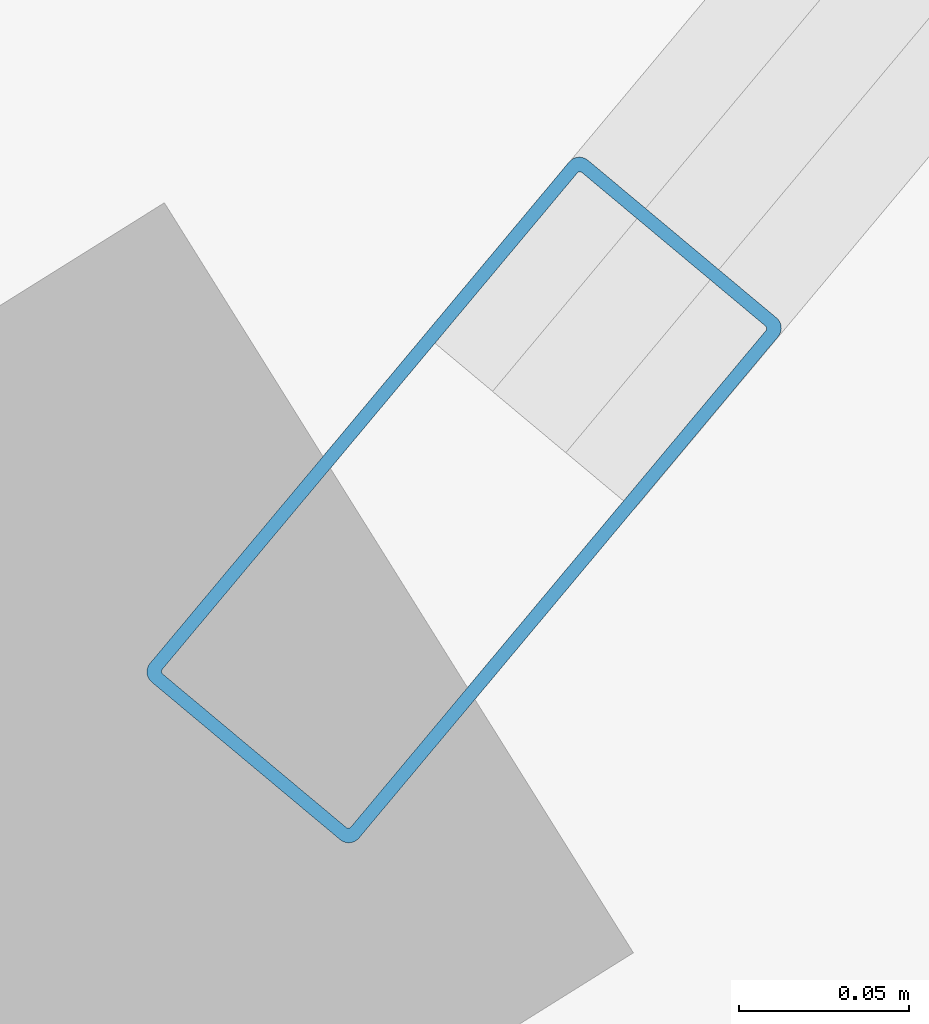
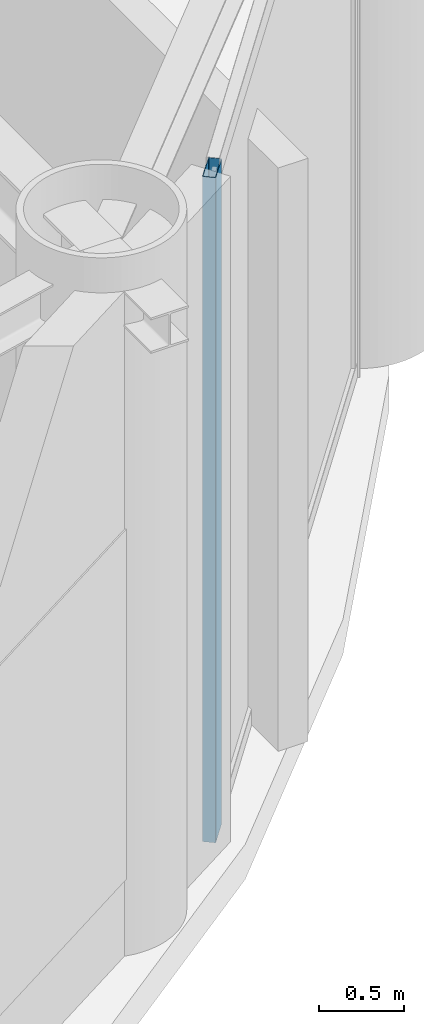
# One storey, part 6 of 23: 1 member, 1 element without a shape of its own.
"""IFC4 building model written with IfcOpenShell, lengths in metres."""

from ifc_helpers import new_model, si_unit, direction, frame, origin, origin_2d, place, context, subcontext, project, spatial, hollow_rectangle, extrude, material, layer, layer_set, material_profile, profile_set, type_object, element, aggregate, save


model = new_model("IFC4")

# Units and contexts
model_context = context("Model", 3, precision=1e-05, world=origin(), true_north=direction((0.0, 1.0)))
body_context = subcontext(model_context, "Body", "Model", "MODEL_VIEW")
ifc_project = project(units=[si_unit("LENGTHUNIT", "METRE"), si_unit("AREAUNIT", "SQUARE_METRE"), si_unit("VOLUMEUNIT", "CUBIC_METRE"), si_unit("PLANEANGLEUNIT", "RADIAN"), si_unit("MASSUNIT", "GRAM", prefix="KILO")], contexts=[model_context])

# Site, building, storey
site_placement = place(None, origin())
site = spatial("IfcSite", under=ifc_project, at=site_placement, CompositionType="ELEMENT")
building_placement = place(site_placement, origin())
building = spatial("IfcBuilding", under=site, at=building_placement, Name="Bramvorn Convention Spire", CompositionType="ELEMENT")
storey_placement = place(building_placement, frame((0.0, 0.0, 307.5)))
storey = spatial("IfcBuildingStorey", under=building, at=storey_placement, Name="L78", CompositionType="ELEMENT", Elevation=307.5)

# Curtain wall, member
ifc_material_1 = material(Name="Anodised Bronze Unitised Curtain Wall", Category="aluminium")
ifc_layer = layer(ifc_material_1, 0.199951171875)
ifc_layer_set = layer_set([ifc_layer], Name="Anodised Bronze Unitised Curtain Wall - CW-PLANT-LOUVRE")
curtain_wall_type = type_object("IfcCurtainWallType", Name="CW-PLANT-LOUVRE", PredefinedType="USERDEFINED", material=ifc_layer_set)
curtain_wall_placement = place(storey_placement, origin())
curtain_wall = element("IfcCurtainWall", 1, at=curtain_wall_placement, inside=storey, type_object=curtain_wall_type, Name="L78 fritted glass curtain wall 02", ObjectType="UNITISED CURTAIN WALL", PredefinedType="USERDEFINED")
ifc_material_2 = material(Name="Anodised Bronze Aluminium 6063-T6", Category="aluminium")
ifc_material_profile = material_profile(ifc_material_2, hollow_rectangle(XDim=0.080078125, YDim=0.199951171875, WallThickness=0.00390625, InnerFilletRadius=0.0009765625, OuterFilletRadius=0.00390625, at=origin_2d()))
ifc_profile_set = profile_set([ifc_material_profile], Name="Anodised Bronze Aluminium 6063-T6 - CWM80X200")
member_type = type_object("IfcMemberType", Name="CW-MUL-180", PredefinedType="MULLION", material=ifc_profile_set)
member_placement = place(storey_placement, frame((50.150390625, 6.95263671875, 0.0), z_axis=(0.0, 0.0, 1.0), x_axis=(0.767206496733, -0.641400180364, 0.0)))
member = element("IfcMember", 2, at=member_placement, type_object=member_type, Name="CW5 mullion 2", PredefinedType="MULLION", context=body_context, shape_type="SweptSolid", body=[
    extrude(hollow_rectangle(XDim=0.080078125, YDim=0.199951171875, WallThickness=0.00390625, InnerFilletRadius=0.0009765625, OuterFilletRadius=0.00390625, at=origin_2d()), origin(), (0.0, 0.0, 1.0), 4.75),
])
aggregate(curtain_wall, [member])

save(model, "model.ifc")
